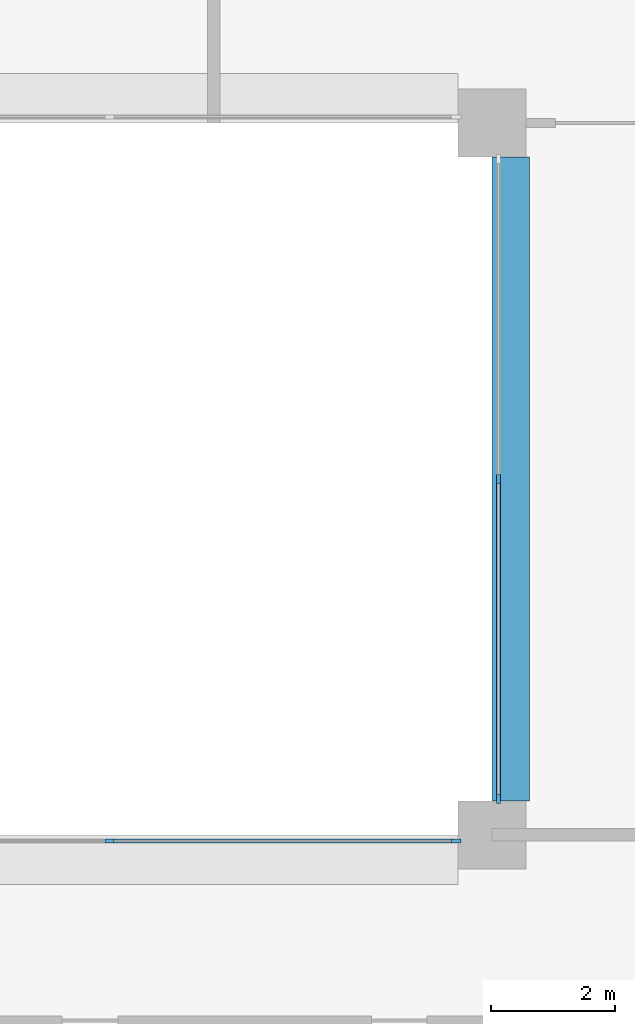
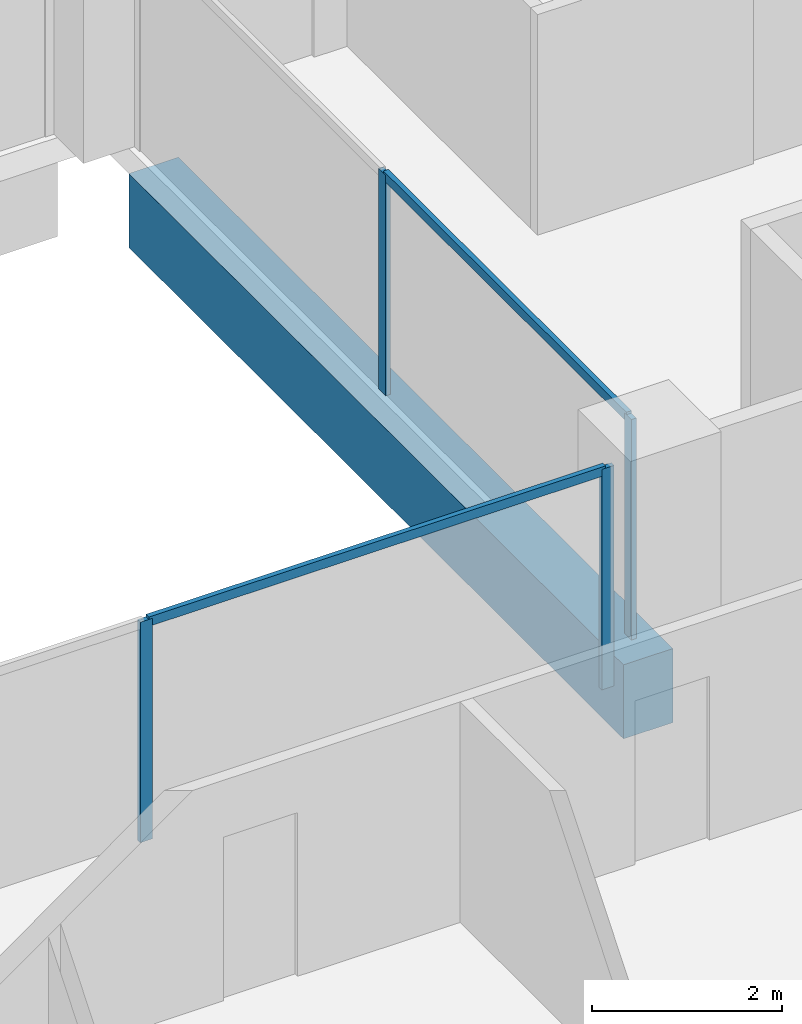
# One storey, part 4 of 15: 6 members, 1 beam, 2 elements without a shape of their own.
"""IFC4 building model written with IfcOpenShell, lengths in metres."""

from ifc_helpers import new_model, si_unit, direction, frame, origin, origin_2d, place, context, subcontext, project, spatial, rectangle, extrude, material, layer, layer_set, material_profile, profile_set, type_object, element, aggregate, save


model = new_model("IFC4")

# Units and contexts
model_context = context("Model", 3, precision=1e-05, world=origin(), true_north=direction((0.0, 1.0)))
body_context = subcontext(model_context, "Body", "Model", "MODEL_VIEW")
ifc_project = project(units=[si_unit("LENGTHUNIT", "METRE"), si_unit("AREAUNIT", "SQUARE_METRE"), si_unit("VOLUMEUNIT", "CUBIC_METRE"), si_unit("PLANEANGLEUNIT", "RADIAN"), si_unit("MASSUNIT", "GRAM", prefix="KILO")], contexts=[model_context])

# Site, building, storey
site_placement = place(None, origin())
site = spatial("IfcSite", under=ifc_project, at=site_placement, CompositionType="ELEMENT")
building_placement = place(site_placement, origin())
building = spatial("IfcBuilding", under=site, at=building_placement, Name="Brigalow Station Residences", CompositionType="ELEMENT")
storey_placement = place(building_placement, frame((0.0, 0.0, 157.050048828125)))
storey = spatial("IfcBuildingStorey", under=building, at=storey_placement, Name="L45", CompositionType="ELEMENT", Elevation=157.050048828125)

# Beam
ifc_material_1 = material(Name="Concrete C65", Category="concrete")
ifc_material_profile_1 = material_profile(ifc_material_1, rectangle(XDim=0.60009765625, YDim=0.949951171875, at=origin_2d()), Name="RC600x950")
ifc_profile_set_1 = profile_set([ifc_material_profile_1], Name="Concrete C65")
beam_type = type_object("IfcBeamType", Name="ATRIUM EDGE GIRDER 600x950 C65", PredefinedType="BEAM", material=ifc_profile_set_1)
beam_placement = place(storey_placement, frame((45.300048828125, 24.550048828125, -0.795166015625), z_axis=(0.0, 1.0, 0.0), x_axis=(-1.0, 0.0, 0.0)))
element("IfcBeam", 1, at=beam_placement, inside=storey, type_object=beam_type, Name="ATRIUM EDGE GIRDER 5 L45", PredefinedType="BEAM", context=body_context, shape_type="SweptSolid", body=[
    extrude(rectangle(XDim=0.60009765625, YDim=0.949951171875, at=origin_2d()), origin(), (0.0, 0.0, 1.0), 10.39990234375),
])

# Curtain wall, members
ifc_material_2 = material(Name="Aluminium", Category="aluminium")
ifc_layer = layer(ifc_material_2, 0.14990234375)
ifc_layer_set = layer_set([ifc_layer], Name="ATRIUM FIRE-RATED GLAZING CURTAIN WALL")
curtain_wall_type = type_object("IfcCurtainWallType", Name="ATRIUM FIRE-RATED GLAZING CURTAIN WALL", PredefinedType="NOTDEFINED", material=ifc_layer_set)
curtain_wall_1_placement = place(storey_placement, origin())
curtain_wall_1 = element("IfcCurtainWall", 2, at=curtain_wall_1_placement, inside=storey, type_object=curtain_wall_type, Name="L45/cw/atrium-S", PredefinedType="NOTDEFINED")
ifc_material_3 = material(Name="Aluminium", Category="aluminium")
ifc_material_profile_2 = material_profile(ifc_material_3, rectangle(XDim=0.06005859375, YDim=0.14990234375, at=origin_2d()), Name="ATRIUM FIRE-RATED GLAZING MULLION 60x150")
ifc_profile_set_2 = profile_set([ifc_material_profile_2], Name="Aluminium")
member_type_1 = type_object("IfcMemberType", Name="ATRIUM FIRE-RATED GLAZING MULLION 60x150", PredefinedType="MULLION", material=ifc_profile_set_2)
member_1_placement = place(storey_placement, frame((38.816650390625, 23.89990234375, 0.0), z_axis=(0.0, 0.0, 1.0), x_axis=(0.0, 1.0, 0.0)))
member_1 = element("IfcMember", 3, at=member_1_placement, type_object=member_type_1, Name="L45/cw/atrium-S/M02", PredefinedType="MULLION", context=body_context, shape_type="SweptSolid", body=[
    extrude(rectangle(XDim=0.06005859375, YDim=0.14990234375, at=origin_2d()), origin(), (0.0, 0.0, 1.0), 2.829833984375),
])
member_2_placement = place(storey_placement, frame((44.419921875, 23.89990234375, 0.0), z_axis=(0.0, 0.0, 1.0), x_axis=(0.0, 1.0, 0.0)))
member_2 = element("IfcMember", 4, at=member_2_placement, type_object=member_type_1, Name="L45/cw/atrium-S/M03", PredefinedType="MULLION", context=body_context, shape_type="SweptSolid", body=[
    extrude(rectangle(XDim=0.06005859375, YDim=0.14990234375, at=origin_2d()), origin(), (0.0, 0.0, 1.0), 2.829833984375),
])

curtain_wall_2_placement = place(storey_placement, origin())
curtain_wall_2 = element("IfcCurtainWall", 5, at=curtain_wall_2_placement, inside=storey, type_object=curtain_wall_type, Name="L45/cw/atrium-E", PredefinedType="NOTDEFINED")
member_3_placement = place(storey_placement, frame((45.10009765625, 24.580078125, 0.0), z_axis=(0.0, 0.0, 1.0), x_axis=(-1.0, 0.0, 0.0)))
member_3 = element("IfcMember", 6, at=member_3_placement, type_object=member_type_1, Name="L45/cw/atrium-E/M00", PredefinedType="MULLION", context=body_context, shape_type="SweptSolid", body=[
    extrude(rectangle(XDim=0.06005859375, YDim=0.14990234375, at=origin_2d()), origin(), (0.0, 0.0, 1.0), 2.829833984375),
])
member_4_placement = place(storey_placement, frame((45.10009765625, 29.75, 0.0), z_axis=(0.0, 0.0, 1.0), x_axis=(-1.0, 0.0, 0.0)))
member_4 = element("IfcMember", 7, at=member_4_placement, type_object=member_type_1, Name="L45/cw/atrium-E/M01", PredefinedType="MULLION", context=body_context, shape_type="SweptSolid", body=[
    extrude(rectangle(XDim=0.06005859375, YDim=0.14990234375, at=origin_2d()), origin(), (0.0, 0.0, 1.0), 2.829833984375),
])

# Member
ifc_material_4 = material(Name="Aluminium", Category="aluminium")
ifc_material_profile_3 = material_profile(ifc_material_4, rectangle(XDim=0.06005859375, YDim=0.1201171875, at=origin_2d()), Name="ATRIUM FIRE-RATED GLAZING TRANSOM 60x120")
ifc_profile_set_3 = profile_set([ifc_material_profile_3], Name="Aluminium")
member_type_2 = type_object("IfcMemberType", Name="ATRIUM FIRE-RATED GLAZING TRANSOM 60x120", PredefinedType="USERDEFINED", material=ifc_profile_set_3)
member_5_placement = place(storey_placement, frame((38.8466796875, 23.89990234375, 2.800048828125), z_axis=(1.0, 0.0, 0.0), x_axis=(0.0, 1.0, 0.0)))
member_5 = element("IfcMember", 8, at=member_5_placement, type_object=member_type_2, Name="L45/cw/atrium-S/T02-00", ObjectType="TRANSOM", PredefinedType="USERDEFINED", context=body_context, shape_type="SweptSolid", body=[
    extrude(rectangle(XDim=0.06005859375, YDim=0.1201171875, at=origin_2d()), origin(), (0.0, 0.0, 1.0), 5.543212890625),
])

aggregate(curtain_wall_1, [member_1, member_2, member_5])

member_6_placement = place(storey_placement, frame((45.10009765625, 24.610107421875, 2.800048828125), z_axis=(0.0, 1.0, 0.0), x_axis=(-1.0, 0.0, 0.0)))
member_6 = element("IfcMember", 9, at=member_6_placement, type_object=member_type_2, Name="L45/cw/atrium-E/T00-00", ObjectType="TRANSOM", PredefinedType="USERDEFINED", context=body_context, shape_type="SweptSolid", body=[
    extrude(rectangle(XDim=0.06005859375, YDim=0.1201171875, at=origin_2d()), origin(), (0.0, 0.0, 1.0), 5.10986328125),
])

aggregate(curtain_wall_2, [member_3, member_4, member_6])

save(model, "model.ifc")
